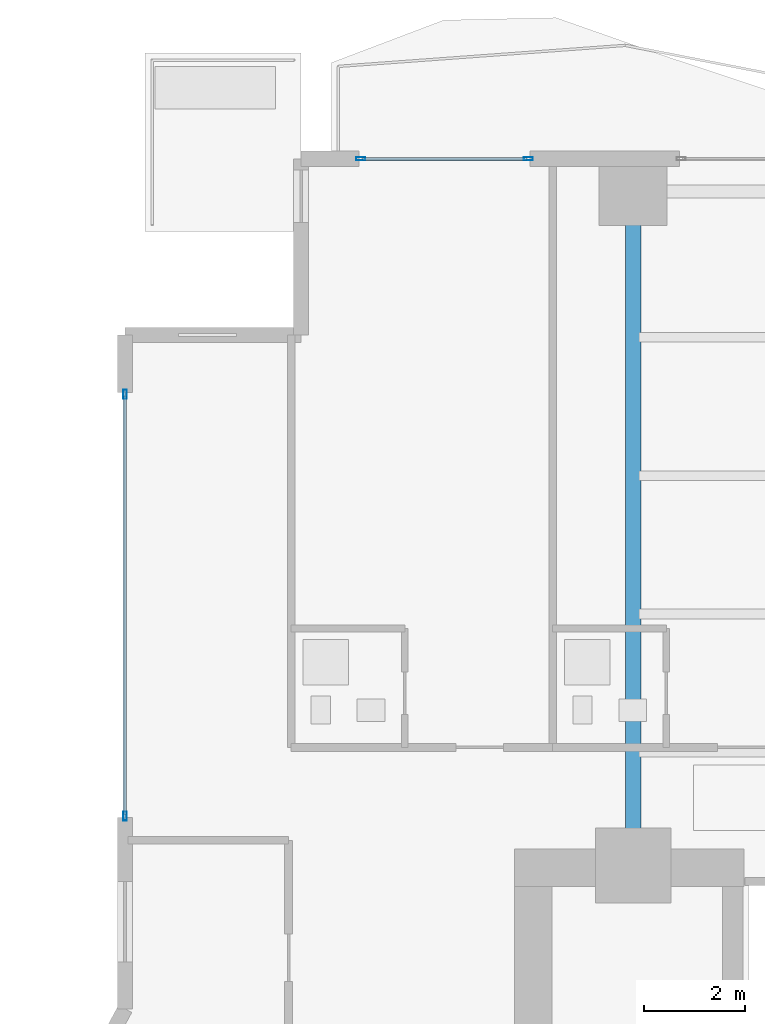
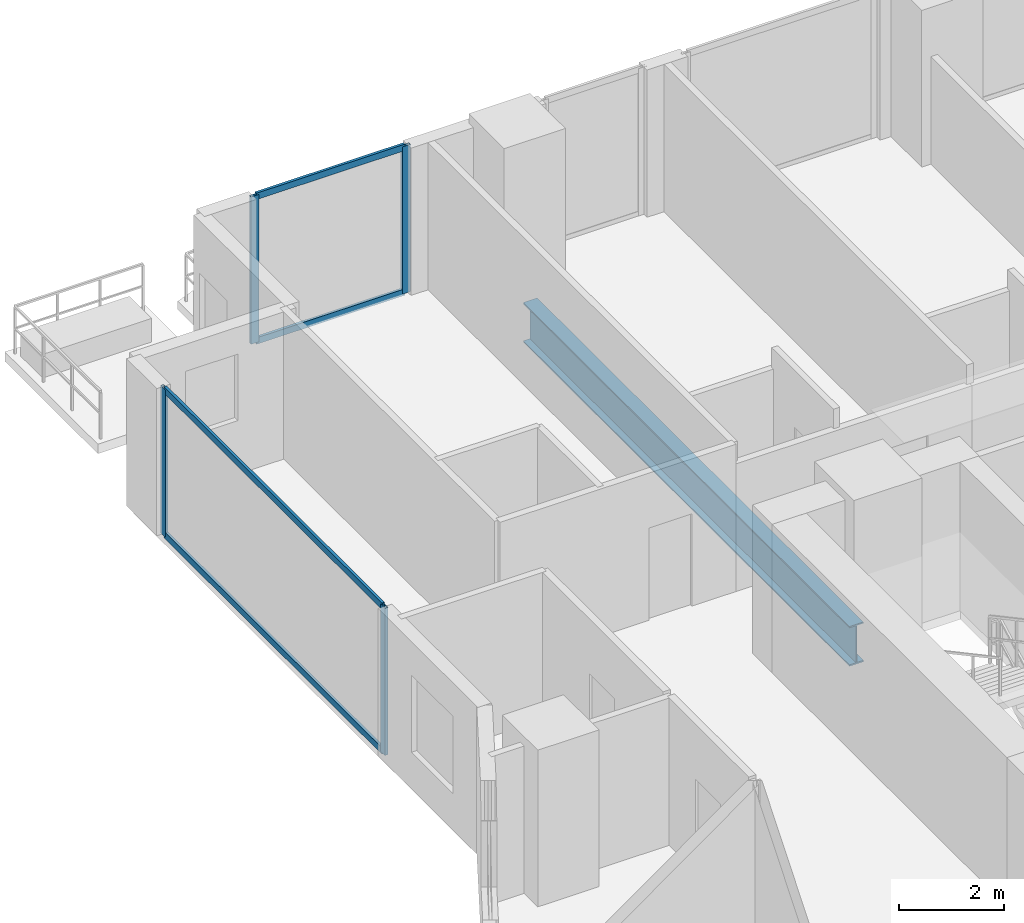
# One storey, part 14 of 29: 8 members, 1 beam, 2 elements without a shape of their own.
"""IFC4 building model written with IfcOpenShell, lengths in metres."""

from ifc_helpers import new_model, si_unit, direction, frame, origin, origin_2d, place, context, subcontext, project, spatial, hollow_rectangle, i_section, extrude, material, layer, layer_set, material_profile, profile_set, type_object, element, aggregate, save


model = new_model("IFC4")

# Units and contexts
model_context = context("Model", 3, precision=1e-05, world=origin(), true_north=direction((0.0, 1.0)))
body_context = subcontext(model_context, "Body", "Model", "MODEL_VIEW")
ifc_project = project(units=[si_unit("LENGTHUNIT", "METRE"), si_unit("AREAUNIT", "SQUARE_METRE"), si_unit("VOLUMEUNIT", "CUBIC_METRE"), si_unit("PLANEANGLEUNIT", "RADIAN"), si_unit("MASSUNIT", "GRAM", prefix="KILO")], contexts=[model_context])

# Site, building, storey
site_placement = place(None, origin())
site = spatial("IfcSite", under=ifc_project, at=site_placement, CompositionType="ELEMENT")
building_placement = place(site_placement, origin())
building = spatial("IfcBuilding", under=site, at=building_placement, Name="Zuhayl Quay Hotel", CompositionType="ELEMENT")
storey_placement = place(building_placement, frame((0.0, 0.0, 106.60009765625)))
storey = spatial("IfcBuildingStorey", under=building, at=storey_placement, Name="L26", CompositionType="ELEMENT", Elevation=106.60009765625)

# Beam
ifc_material_1 = material(Name="Steel ASTM A992 Grade 50", Category="steel")
ifc_material_profile_1 = material_profile(ifc_material_1, i_section(OverallWidth=0.306884765625, OverallDepth=0.927001953125, WebThickness=0.019287109375, FlangeThickness=0.031982421875, at=origin_2d()), Name="W36X194")
ifc_profile_set_1 = profile_set([ifc_material_profile_1], Name="Steel ASTM A992 Grade 50")
beam_type = type_object("IfcBeamType", Name="BM_PG2_W36X194", PredefinedType="BEAM", material=ifc_profile_set_1)
beam_placement = place(storey_placement, frame((-13.800048828125, 14.800048828125, -0.68359375), z_axis=(0.0, 1.0, 0.0), x_axis=(-1.0, 0.0, 0.0)))
element("IfcBeam", 1, at=beam_placement, inside=storey, type_object=beam_type, Name="L26 Floor Beam FG_N_L26_1", PredefinedType="BEAM", context=body_context, shape_type="SweptSolid", body=[
    extrude(i_section(OverallWidth=0.306884765625, OverallDepth=0.927001953125, WebThickness=0.019287109375, FlangeThickness=0.031982421875, at=origin_2d()), origin(), (0.0, 0.0, 1.0), 12.449951171875),
])

# Curtain wall, members
ifc_material_2 = material(Name="Anodised Aluminium 6063-T6", Category="aluminium")
ifc_layer = layer(ifc_material_2, 0.179931640625, Name="Anodised Aluminium 6063-T6", Category="aluminium")
ifc_layer_set = layer_set([ifc_layer], Name="Anodised Aluminium 6063-T6")
curtain_wall_type = type_object("IfcCurtainWallType", Name="CW_SYS_Z2", PredefinedType="USERDEFINED", material=ifc_layer_set)
curtain_wall_1_placement = place(storey_placement, origin())
curtain_wall_1 = element("IfcCurtainWall", 2, at=curtain_wall_1_placement, inside=storey, type_object=curtain_wall_type, Name="L26 Curtain Wall ENV_L26_E05_CW1", ObjectType="UNITISED CURTAIN WALL", PredefinedType="USERDEFINED")
ifc_material_3 = material(Name="Black-anodised aluminium 6063-T6", Category="aluminium")
ifc_material_profile_2 = material_profile(ifc_material_3, hollow_rectangle(XDim=0.06494140625, YDim=0.179931640625, WallThickness=0.00341796875, at=origin_2d()), Name="ALU180X65")
ifc_profile_set_2 = profile_set([ifc_material_profile_2], Name="Black-anodised aluminium 6063-T6")
member_type_1 = type_object("IfcMemberType", Name="MB_CW_MUL_180", PredefinedType="MULLION", material=ifc_profile_set_2)
member_1_placement = place(storey_placement, frame((-23.89990234375, 15.33251953125, 0.0), z_axis=(0.0, 0.0, 1.0), x_axis=(-1.0, 0.0, 0.0)))
member_1 = element("IfcMember", 3, at=member_1_placement, type_object=member_type_1, Name="CW-Z2 mullion 1", PredefinedType="MULLION", context=body_context, shape_type="SweptSolid", body=[
    extrude(hollow_rectangle(XDim=0.06494140625, YDim=0.179931640625, WallThickness=0.00341796875, at=origin_2d()), origin(), (0.0, 0.0, 1.0), 3.429931640625),
])
member_2_placement = place(storey_placement, frame((-23.89990234375, 23.717529296875, 0.0), z_axis=(0.0, 0.0, 1.0), x_axis=(-1.0, 0.0, 0.0)))
member_2 = element("IfcMember", 4, at=member_2_placement, type_object=member_type_1, Name="CW-Z2 mullion 2", PredefinedType="MULLION", context=body_context, shape_type="SweptSolid", body=[
    extrude(hollow_rectangle(XDim=0.06494140625, YDim=0.179931640625, WallThickness=0.00341796875, at=origin_2d()), origin(), (0.0, 0.0, 1.0), 3.429931640625),
])

curtain_wall_2_placement = place(storey_placement, origin())
curtain_wall_2 = element("IfcCurtainWall", 5, at=curtain_wall_2_placement, inside=storey, type_object=curtain_wall_type, Name="L26 Curtain Wall ENV_L26_N_CW1", ObjectType="UNITISED CURTAIN WALL", PredefinedType="USERDEFINED")
member_3_placement = place(storey_placement, frame((-19.217529296875, 28.39990234375, 0.0), z_axis=(0.0, 0.0, 1.0), x_axis=(0.0, 1.0, 0.0)))
member_3 = element("IfcMember", 6, at=member_3_placement, type_object=member_type_1, Name="CW-Z2 mullion 1", PredefinedType="MULLION", context=body_context, shape_type="SweptSolid", body=[
    extrude(hollow_rectangle(XDim=0.06494140625, YDim=0.179931640625, WallThickness=0.00341796875, at=origin_2d()), origin(), (0.0, 0.0, 1.0), 3.429931640625),
])
member_4_placement = place(storey_placement, frame((-15.882568359375, 28.39990234375, 0.0), z_axis=(0.0, 0.0, 1.0), x_axis=(0.0, 1.0, 0.0)))
member_4 = element("IfcMember", 7, at=member_4_placement, type_object=member_type_1, Name="CW-Z2 mullion 2", PredefinedType="MULLION", context=body_context, shape_type="SweptSolid", body=[
    extrude(hollow_rectangle(XDim=0.06494140625, YDim=0.179931640625, WallThickness=0.00341796875, at=origin_2d()), origin(), (0.0, 0.0, 1.0), 3.429931640625),
])

# Member
ifc_material_profile_3 = material_profile(ifc_material_3, hollow_rectangle(XDim=0.06005859375, YDim=0.14990234375, WallThickness=0.00341796875, at=origin_2d()), Name="ALU150X60")
ifc_profile_set_3 = profile_set([ifc_material_profile_3], Name="Black-anodised aluminium 6063-T6")
member_type_2 = type_object("IfcMemberType", Name="MB_CW_TRN_150", PredefinedType="USERDEFINED", material=ifc_profile_set_3)
member_5_placement = place(storey_placement, frame((-23.89990234375, 15.364990234375, 0.02978515625), z_axis=(0.0, 1.0, 0.0), x_axis=(-1.0, 0.0, 0.0)))
member_5 = element("IfcMember", 8, at=member_5_placement, type_object=member_type_2, Name="CW-Z2 transom 1.1", ObjectType="TRANSOM", PredefinedType="USERDEFINED", context=body_context, shape_type="SweptSolid", body=[
    extrude(hollow_rectangle(XDim=0.06005859375, YDim=0.14990234375, WallThickness=0.00341796875, at=origin_2d()), origin(), (0.0, 0.0, 1.0), 8.320068359375),
])

member_6_placement = place(storey_placement, frame((-23.89990234375, 15.364990234375, 3.39990234375), z_axis=(0.0, 1.0, 0.0), x_axis=(-1.0, 0.0, 0.0)))
member_6 = element("IfcMember", 9, at=member_6_placement, type_object=member_type_2, Name="CW-Z2 transom 1.2", ObjectType="TRANSOM", PredefinedType="USERDEFINED", context=body_context, shape_type="SweptSolid", body=[
    extrude(hollow_rectangle(XDim=0.06005859375, YDim=0.14990234375, WallThickness=0.00341796875, at=origin_2d()), origin(), (0.0, 0.0, 1.0), 8.320068359375),
])

aggregate(curtain_wall_1, [member_1, member_2, member_5, member_6])

member_7_placement = place(storey_placement, frame((-19.18505859375, 28.39990234375, 0.02978515625), z_axis=(1.0, 0.0, 0.0), x_axis=(0.0, 1.0, 0.0)))
member_7 = element("IfcMember", 10, at=member_7_placement, type_object=member_type_2, Name="CW-Z2 transom 1.1", ObjectType="TRANSOM", PredefinedType="USERDEFINED", context=body_context, shape_type="SweptSolid", body=[
    extrude(hollow_rectangle(XDim=0.06005859375, YDim=0.14990234375, WallThickness=0.00341796875, at=origin_2d()), origin(), (0.0, 0.0, 1.0), 3.27001953125),
])

member_8_placement = place(storey_placement, frame((-19.18505859375, 28.39990234375, 3.39990234375), z_axis=(1.0, 0.0, 0.0), x_axis=(0.0, 1.0, 0.0)))
member_8 = element("IfcMember", 11, at=member_8_placement, type_object=member_type_2, Name="CW-Z2 transom 1.2", ObjectType="TRANSOM", PredefinedType="USERDEFINED", context=body_context, shape_type="SweptSolid", body=[
    extrude(hollow_rectangle(XDim=0.06005859375, YDim=0.14990234375, WallThickness=0.00341796875, at=origin_2d()), origin(), (0.0, 0.0, 1.0), 3.27001953125),
])

aggregate(curtain_wall_2, [member_3, member_4, member_7, member_8])

save(model, "model.ifc")
